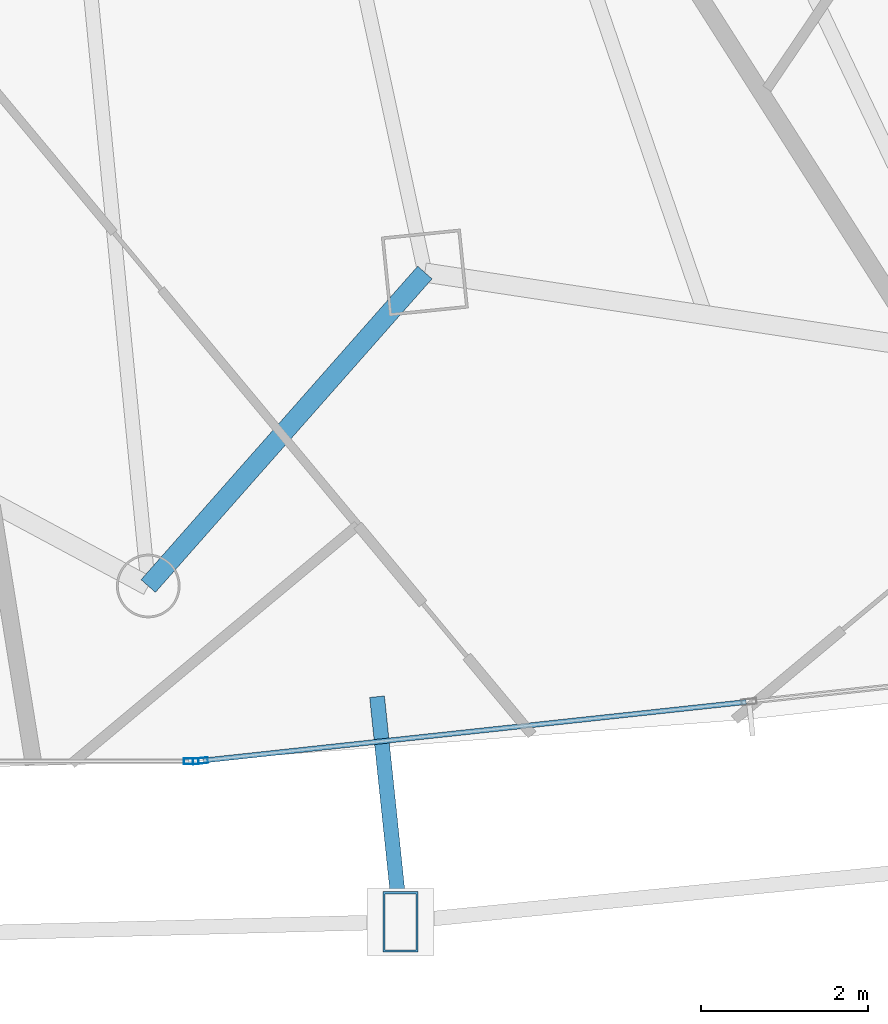
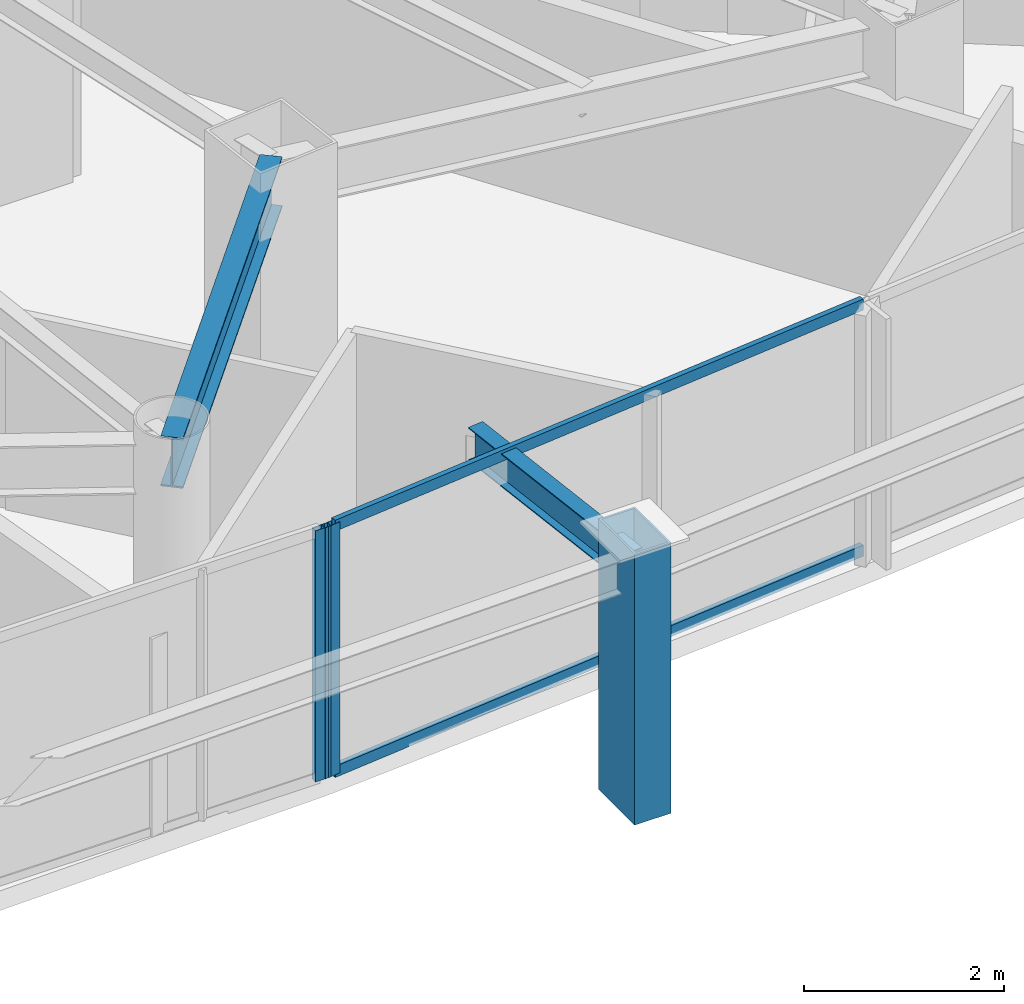
# One storey, part 13 of 38: 5 members, 2 beams, 2 elements without a shape of their own.
"""IFC4 building model written with IfcOpenShell, lengths in metres."""

from ifc_helpers import new_model, si_unit, direction, frame, origin, origin_2d, place, context, subcontext, project, spatial, hollow_rectangle, i_section, extrude, material, layer, layer_set, material_profile, profile_set, type_object, element, aggregate, save


model = new_model("IFC4")

# Units and contexts
model_context = context("Model", 3, precision=1e-05, world=origin(), true_north=direction((0.0, 1.0)))
body_context = subcontext(model_context, "Body", "Model", "MODEL_VIEW")
ifc_project = project(units=[si_unit("LENGTHUNIT", "METRE"), si_unit("AREAUNIT", "SQUARE_METRE"), si_unit("VOLUMEUNIT", "CUBIC_METRE"), si_unit("PLANEANGLEUNIT", "RADIAN"), si_unit("MASSUNIT", "GRAM", prefix="KILO")], contexts=[model_context])

# Site, building, storey
site_placement = place(None, origin())
site = spatial("IfcSite", under=ifc_project, at=site_placement, CompositionType="ELEMENT")
building_placement = place(site_placement, origin())
building = spatial("IfcBuilding", under=site, at=building_placement, Name="Orvanel Arch Residences", CompositionType="ELEMENT")
storey_placement = place(building_placement, frame((0.0, 0.0, 50.0)))
storey = spatial("IfcBuildingStorey", under=building, at=storey_placement, Name="L13", CompositionType="ELEMENT", Elevation=50.0)

# Member
ifc_material_1 = material(Name="Structural steel AS/NZS 3678 Grade 350", Category="steel")
ifc_material_profile_1 = material_profile(ifc_material_1, hollow_rectangle(XDim=0.419921875, YDim=0.719970703125, WallThickness=0.02490234375, at=origin_2d()), Name="RHS720x420x25")
ifc_profile_set_1 = profile_set([ifc_material_profile_1], Name="Structural steel AS/NZS 3678 Grade 350")
member_type_1 = type_object("IfcMemberType", Name="CH-720RHS-EXT", PredefinedType="CHORD", material=ifc_profile_set_1)
member_1_placement = place(storey_placement, frame((42.06103515625, -0.412109375, 0.0), z_axis=(0.0, 0.0, 1.0), x_axis=(1.0, 0.0, 0.0)))
element("IfcMember", 1, at=member_1_placement, inside=storey, type_object=member_type_1, Name="L13 Outer Perimeter Frame Post 07", PredefinedType="CHORD", context=body_context, shape_type="SweptSolid", body=[
    extrude(hollow_rectangle(XDim=0.419921875, YDim=0.719970703125, WallThickness=0.02490234375, at=origin_2d()), origin(), (0.0, 0.0, 1.0), 3.300048828125),
])

# Curtain wall, member
ifc_material_2 = material(Name="Bronze-anodised aluminium AA6063-T6", Category="aluminium")
ifc_layer = layer(ifc_material_2, 0.179931640625)
ifc_layer_set = layer_set([ifc_layer], Name="Bronze-anodised aluminium AA6063-T6")
curtain_wall_type = type_object("IfcCurtainWallType", Name="CW2-LOW-SYS", PredefinedType="NOTDEFINED", material=ifc_layer_set)
curtain_wall_1_placement = place(storey_placement, origin())
curtain_wall_1 = element("IfcCurtainWall", 2, at=curtain_wall_1_placement, inside=storey, type_object=curtain_wall_type, Name="L13 CW2-LOW-SYS Unitised Curtain Wall", PredefinedType="NOTDEFINED")
ifc_material_profile_2 = material_profile(ifc_material_2, hollow_rectangle(XDim=0.070068359375, YDim=0.179931640625, WallThickness=0.00439453125, at=origin_2d()), Name="ALU180x70x4.5")
ifc_profile_set_2 = profile_set([ifc_material_profile_2], Name="Bronze-anodised aluminium AA6063-T6")
member_type_2 = type_object("IfcMemberType", Name="MUL-180x70", PredefinedType="MULLION", material=ifc_profile_set_2)
member_2_placement = place(storey_placement, frame((39.555908203125, 1.508056640625, 0.0), z_axis=(0.0, 0.0, 1.0), x_axis=(0.0, 1.0, 0.0)))
member_2 = element("IfcMember", 3, at=member_2_placement, type_object=member_type_2, Name="CW-S2 mullion 3", PredefinedType="MULLION", context=body_context, shape_type="SweptSolid", body=[
    extrude(hollow_rectangle(XDim=0.070068359375, YDim=0.179931640625, WallThickness=0.00439453125, at=origin_2d()), origin(), (0.0, 0.0, 1.0), 3.06005859375),
])
aggregate(curtain_wall_1, [member_2])

curtain_wall_2_placement = place(storey_placement, origin())
curtain_wall_2 = element("IfcCurtainWall", 4, at=curtain_wall_2_placement, inside=storey, type_object=curtain_wall_type, Name="L13 CW2-LOW-SYS Unitised Curtain Wall", PredefinedType="NOTDEFINED")
member_3_placement = place(storey_placement, frame((39.665771484375, 1.513671875, 0.0), z_axis=(0.0, 0.0, 1.0), x_axis=(-0.107139659052, 0.994243980851, 0.0)))
member_3 = element("IfcMember", 5, at=member_3_placement, type_object=member_type_2, Name="CW-S2 mullion 1", PredefinedType="MULLION", context=body_context, shape_type="SweptSolid", body=[
    extrude(hollow_rectangle(XDim=0.070068359375, YDim=0.179931640625, WallThickness=0.00439453125, at=origin_2d()), origin(), (0.0, 0.0, 1.0), 3.06005859375),
])

# Beams
ifc_material_3 = material(Name="Structural steel AS/NZS 3679.1 Grade 300 (300 MPa)", Category="steel")
ifc_material_profile_3 = material_profile(ifc_material_3, i_section(OverallWidth=0.177978515625, OverallDepth=0.406005859375, WebThickness=0.0078125, FlangeThickness=0.0126953125, at=origin_2d()), Name="410UB59.7")
ifc_profile_set_3 = profile_set([ifc_material_profile_3], Name="Structural steel AS/NZS 3679.1 Grade 300 (300 MPa)")
beam_type_1 = type_object("IfcBeamType", Name="OB-410UB-EXT", PredefinedType="SPANDREL", material=ifc_profile_set_3)
beam_1_placement = place(storey_placement, frame((41.779052734375, 2.281005859375, 2.85693359375), z_axis=(0.104135652612, -0.994563103003, 0.0), x_axis=(0.994563103003, 0.104135652612, 0.0)))
element("IfcBeam", 6, at=beam_1_placement, inside=storey, type_object=beam_type_1, Name="L13 Outer Frame Radial Tie Beam 07", PredefinedType="SPANDREL", context=body_context, shape_type="SweptSolid", body=[
    extrude(i_section(OverallWidth=0.177978515625, OverallDepth=0.406005859375, WebThickness=0.0078125, FlangeThickness=0.0126953125, at=origin_2d()), origin(), (0.0, 0.0, 1.0), 2.707763671875),
])
ifc_material_profile_4 = material_profile(ifc_material_3, i_section(OverallWidth=0.22900390625, OverallDepth=0.612060546875, WebThickness=0.011962890625, FlangeThickness=0.01953125, at=origin_2d()), Name="610UB125")
ifc_profile_set_4 = profile_set([ifc_material_profile_4], Name="Structural steel AS/NZS 3679.1 Grade 300 (300 MPa)")
beam_type_2 = type_object("IfcBeamType", Name="SP-610UB", PredefinedType="SPANDREL", material=ifc_profile_set_4)
beam_2_placement = place(storey_placement, frame((39.0419921875, 3.60498046875, 2.75390625), z_axis=(0.661650698195, 0.749812212209, 0.0), x_axis=(-0.749812212209, 0.661650698195, 0.0)))
element("IfcBeam", 7, at=beam_2_placement, inside=storey, type_object=beam_type_2, Name="L13 Perimeter Spandrel Beam 08", PredefinedType="SPANDREL", context=body_context, shape_type="SweptSolid", body=[
    extrude(i_section(OverallWidth=0.22900390625, OverallDepth=0.612060546875, WebThickness=0.011962890625, FlangeThickness=0.01953125, at=origin_2d()), origin(), (0.0, 0.0, 1.0), 5.001220703125),
])

# Member
ifc_material_profile_5 = material_profile(ifc_material_2, hollow_rectangle(XDim=0.06005859375, YDim=0.135009765625, WallThickness=0.00390625, at=origin_2d()), Name="ALU135x60x4")
ifc_profile_set_5 = profile_set([ifc_material_profile_5], Name="Bronze-anodised aluminium AA6063-T6")
member_type_3 = type_object("IfcMemberType", Name="TRN-135x60", PredefinedType="USERDEFINED", material=ifc_profile_set_5)
member_4_placement = place(storey_placement, frame((39.70068359375, 1.517578125, 0.030029296875), z_axis=(0.994244342354, 0.107136304289, 0.0), x_axis=(-0.107136304289, 0.994244342354, 0.0)))
member_4 = element("IfcMember", 8, at=member_4_placement, type_object=member_type_3, Name="CW-S2 transom 1.1", ObjectType="TRANSOM", PredefinedType="USERDEFINED", context=body_context, shape_type="SweptSolid", body=[
    extrude(hollow_rectangle(XDim=0.06005859375, YDim=0.135009765625, WallThickness=0.00390625, at=origin_2d()), origin(), (0.0, 0.0, 1.0), 6.531005859375),
])

member_5_placement = place(storey_placement, frame((39.70068359375, 1.517578125, 3.030029296875), z_axis=(0.994244342354, 0.107136304289, 0.0), x_axis=(-0.107136304289, 0.994244342354, 0.0)))
member_5 = element("IfcMember", 9, at=member_5_placement, type_object=member_type_3, Name="CW-S2 transom 1.2", ObjectType="TRANSOM", PredefinedType="USERDEFINED", context=body_context, shape_type="SweptSolid", body=[
    extrude(hollow_rectangle(XDim=0.06005859375, YDim=0.135009765625, WallThickness=0.00390625, at=origin_2d()), origin(), (0.0, 0.0, 1.0), 6.531005859375),
])

aggregate(curtain_wall_2, [member_3, member_4, member_5])

save(model, "model.ifc")
